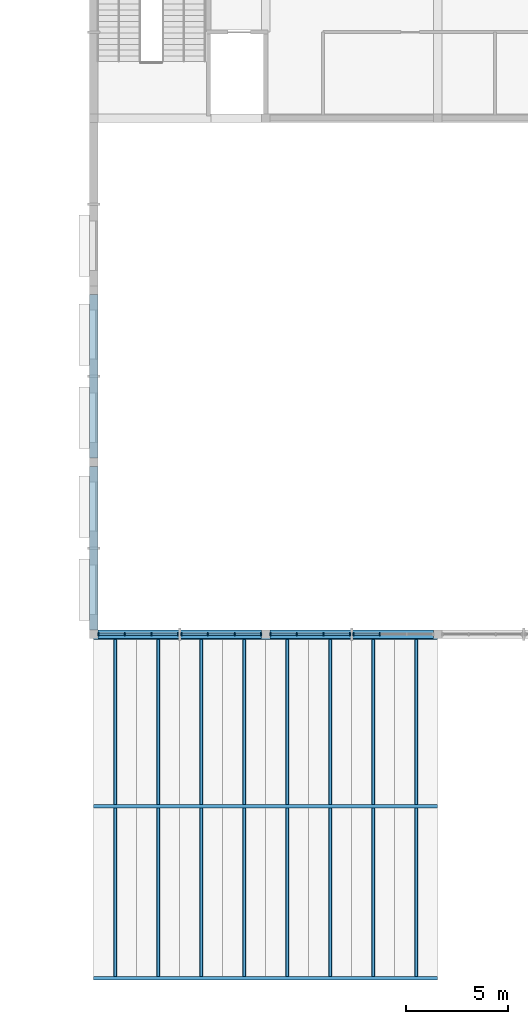
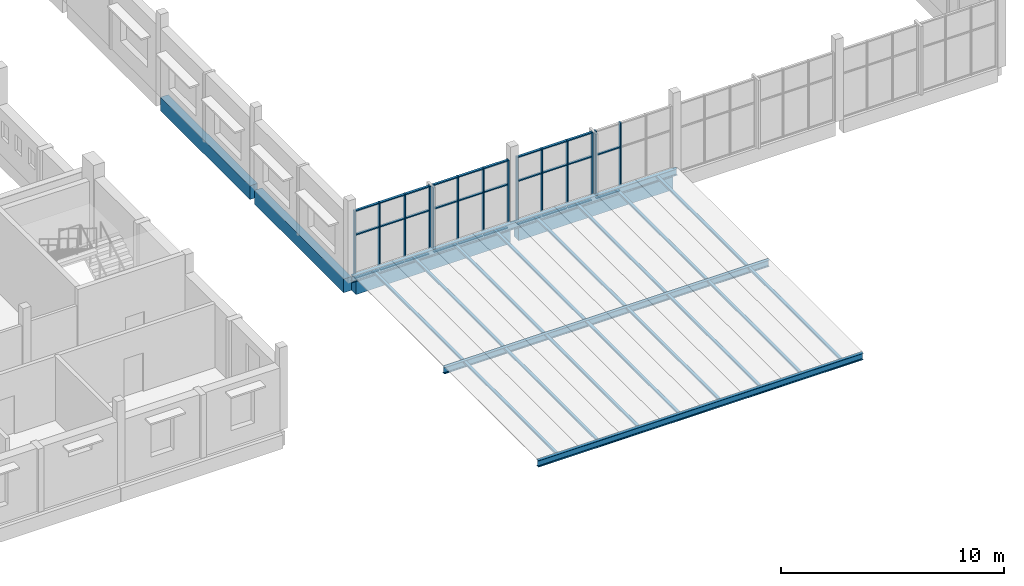
# One storey, part 19 of 60: 59 members, 7 beams, 4 elements without a shape of their own.
"""IFC4 building model written with IfcOpenShell, lengths in metres."""

from ifc_helpers import new_model, si_unit, direction, frame, origin, origin_2d, place, context, subcontext, project, spatial, rectangle, hollow_rectangle, i_section, extrude, material, material_profile, profile_set, type_object, element, aggregate, save


model = new_model("IFC4")

# Units and contexts
model_context = context("Model", 3, precision=1e-05, world=origin(), true_north=direction((0.0, 1.0)))
body_context = subcontext(model_context, "Body", "Model", "MODEL_VIEW")
ifc_project = project(units=[si_unit("LENGTHUNIT", "METRE"), si_unit("AREAUNIT", "SQUARE_METRE"), si_unit("VOLUMEUNIT", "CUBIC_METRE"), si_unit("PLANEANGLEUNIT", "RADIAN"), si_unit("MASSUNIT", "GRAM", prefix="KILO")], contexts=[model_context])

# Site, building, storey
site_placement = place(None, origin())
site = spatial("IfcSite", under=ifc_project, at=site_placement, CompositionType="ELEMENT")
building_placement = place(site_placement, origin())
building = spatial("IfcBuilding", under=site, at=building_placement, Name="Fescue Hill Polytechnic", CompositionType="ELEMENT")
storey_placement = place(building_placement, frame((0.0, 0.0, 4.5)))
storey = spatial("IfcBuildingStorey", under=building, at=storey_placement, Name="L01", CompositionType="ELEMENT", Elevation=4.5)

# Beams
ifc_material_1 = material(Name="Concrete 35 MPa", Category="concrete")
ifc_material_profile_1 = material_profile(ifc_material_1, rectangle(XDim=0.39990234375, YDim=0.75, at=origin_2d()), Name="RC 400x750")
ifc_profile_set_1 = profile_set([ifc_material_profile_1], Name="Concrete 35 MPa")
beam_type_1 = type_object("IfcBeamType", Name="Beam RC 400x750", PredefinedType="BEAM", material=ifc_profile_set_1)
for number, where, z_axis, x_axis, name in (
    (1, (126.0, 16.60009765625, -0.375), (0.0, -1.0, 0.0), (1.0, 0.0, 0.0), "BM-L01-0145"),
    (2, (126.0, 25.0, -0.375), (0.0, -1.0, 0.0), (1.0, 0.0, 0.0), "BM-L01-0146"),
    (3, (126.199951171875, 8.39990234375, -0.375), (1.0, 0.0, 0.0), (0.0, 1.0, 0.0), "BM-L01-0149"),
    (4, (134.60009765625, 8.39990234375, -0.375), (1.0, 0.0, 0.0), (0.0, 1.0, 0.0), "BM-L01-0152"),
):
    element("IfcBeam", number, at=place(storey_placement, frame(where, z_axis=z_axis, x_axis=x_axis)), inside=storey, type_object=beam_type_1, Name=name, PredefinedType="BEAM", context=body_context, shape_type="SweptSolid", body=[
        extrude(rectangle(XDim=0.39990234375, YDim=0.75, at=origin_2d()), origin(), (0.0, 0.0, 1.0), 8.0),
    ])
ifc_material_2 = material(Name="Steel 350W (350 MPa)", Category="steel")
ifc_material_profile_2 = material_profile(ifc_material_2, i_section(OverallWidth=0.172119140625, OverallDepth=0.35791015625, WebThickness=0.0078125, FlangeThickness=0.01318359375, FilletRadius=0.016845703125, at=origin_2d()), Name="W360x57")
ifc_profile_set_2 = profile_set([ifc_material_profile_2], Name="Steel 350W (350 MPa)")
beam_type_2 = type_object("IfcBeamType", Name="Canopy beam W360x57", PredefinedType="BEAM", material=ifc_profile_set_2)
for number, where, z_axis, x_axis, name in (
    (5, (126.0, -8.39990234375, 0.178955078125), (1.0, 0.0, 0.0), (0.0, 1.0, 0.0), "Canopy beam 1"),
    (6, (126.0, 0.0, 0.178955078125), (1.0, 0.0, 0.0), (0.0, 1.0, 0.0), "Canopy beam 2"),
    (7, (126.0, 8.23291015625, 0.178955078125), (1.0, 0.0, 0.0), (0.0, 1.0, 0.0), "Canopy beam 3"),
):
    element("IfcBeam", number, at=place(storey_placement, frame(where, z_axis=z_axis, x_axis=x_axis)), inside=storey, type_object=beam_type_2, Name=name, PredefinedType="BEAM", context=body_context, shape_type="SweptSolid", body=[
        extrude(i_section(OverallWidth=0.172119140625, OverallDepth=0.35791015625, WebThickness=0.0078125, FlangeThickness=0.01318359375, FilletRadius=0.016845703125, at=origin_2d()), origin(), (0.0, 0.0, 1.0), 16.800048828125),
    ])

# Members
ifc_material_profile_3 = material_profile(ifc_material_2, hollow_rectangle(XDim=0.1015625, YDim=0.15234375, WallThickness=0.00634765625, InnerFilletRadius=0.00634765625, OuterFilletRadius=0.0126953125, at=origin_2d()), Name="Canopy glazing bar HSS 152x102x6.4")
ifc_profile_set_3 = profile_set([ifc_material_profile_3], Name="Steel 350W (350 MPa)")
member_type_1 = type_object("IfcMemberType", Name="Canopy glazing bar HSS 152x102x6.4", PredefinedType="PURLIN", material=ifc_profile_set_3)
member_1_placement = place(storey_placement, frame((127.050048828125, -8.31396484375, 0.30712890625), z_axis=(0.0, 1.0, 0.0), x_axis=(0.0, 0.0, 1.0)))
element("IfcMember", 8, at=member_1_placement, inside=storey, type_object=member_type_1, Name="Canopy glazing bar 1.1", PredefinedType="PURLIN", context=body_context, shape_type="SweptSolid", body=[
    extrude(hollow_rectangle(XDim=0.1015625, YDim=0.15234375, WallThickness=0.00634765625, InnerFilletRadius=0.00634765625, OuterFilletRadius=0.0126953125, at=origin_2d()), origin(), (0.0, 0.0, 1.0), 8.22802734375),
])
member_2_placement = place(storey_placement, frame((127.050048828125, 0.0859375, 0.30712890625), z_axis=(0.0, 1.0, 0.0), x_axis=(0.0, 0.0, 1.0)))
element("IfcMember", 9, at=member_2_placement, inside=storey, type_object=member_type_1, Name="Canopy glazing bar 1.2", PredefinedType="PURLIN", context=body_context, shape_type="SweptSolid", body=[
    extrude(hollow_rectangle(XDim=0.1015625, YDim=0.15234375, WallThickness=0.00634765625, InnerFilletRadius=0.00634765625, OuterFilletRadius=0.0126953125, at=origin_2d()), origin(), (0.0, 0.0, 1.0), 8.06103515625),
])
member_3_placement = place(storey_placement, frame((129.14990234375, -8.31396484375, 0.30712890625), z_axis=(0.0, 1.0, 0.0), x_axis=(0.0, 0.0, 1.0)))
element("IfcMember", 10, at=member_3_placement, inside=storey, type_object=member_type_1, Name="Canopy glazing bar 2.1", PredefinedType="PURLIN", context=body_context, shape_type="SweptSolid", body=[
    extrude(hollow_rectangle(XDim=0.1015625, YDim=0.15234375, WallThickness=0.00634765625, InnerFilletRadius=0.00634765625, OuterFilletRadius=0.0126953125, at=origin_2d()), origin(), (0.0, 0.0, 1.0), 8.22802734375),
])
member_4_placement = place(storey_placement, frame((129.14990234375, 0.0859375, 0.30712890625), z_axis=(0.0, 1.0, 0.0), x_axis=(0.0, 0.0, 1.0)))
element("IfcMember", 11, at=member_4_placement, inside=storey, type_object=member_type_1, Name="Canopy glazing bar 2.2", PredefinedType="PURLIN", context=body_context, shape_type="SweptSolid", body=[
    extrude(hollow_rectangle(XDim=0.1015625, YDim=0.15234375, WallThickness=0.00634765625, InnerFilletRadius=0.00634765625, OuterFilletRadius=0.0126953125, at=origin_2d()), origin(), (0.0, 0.0, 1.0), 8.06103515625),
])
member_5_placement = place(storey_placement, frame((131.25, -8.31396484375, 0.30712890625), z_axis=(0.0, 1.0, 0.0), x_axis=(0.0, 0.0, 1.0)))
element("IfcMember", 12, at=member_5_placement, inside=storey, type_object=member_type_1, Name="Canopy glazing bar 3.1", PredefinedType="PURLIN", context=body_context, shape_type="SweptSolid", body=[
    extrude(hollow_rectangle(XDim=0.1015625, YDim=0.15234375, WallThickness=0.00634765625, InnerFilletRadius=0.00634765625, OuterFilletRadius=0.0126953125, at=origin_2d()), origin(), (0.0, 0.0, 1.0), 8.22802734375),
])
member_6_placement = place(storey_placement, frame((131.25, 0.0859375, 0.30712890625), z_axis=(0.0, 1.0, 0.0), x_axis=(0.0, 0.0, 1.0)))
element("IfcMember", 13, at=member_6_placement, inside=storey, type_object=member_type_1, Name="Canopy glazing bar 3.2", PredefinedType="PURLIN", context=body_context, shape_type="SweptSolid", body=[
    extrude(hollow_rectangle(XDim=0.1015625, YDim=0.15234375, WallThickness=0.00634765625, InnerFilletRadius=0.00634765625, OuterFilletRadius=0.0126953125, at=origin_2d()), origin(), (0.0, 0.0, 1.0), 8.06103515625),
])
member_7_placement = place(storey_placement, frame((133.35009765625, -8.31396484375, 0.30712890625), z_axis=(0.0, 1.0, 0.0), x_axis=(0.0, 0.0, 1.0)))
element("IfcMember", 14, at=member_7_placement, inside=storey, type_object=member_type_1, Name="Canopy glazing bar 4.1", PredefinedType="PURLIN", context=body_context, shape_type="SweptSolid", body=[
    extrude(hollow_rectangle(XDim=0.1015625, YDim=0.15234375, WallThickness=0.00634765625, InnerFilletRadius=0.00634765625, OuterFilletRadius=0.0126953125, at=origin_2d()), origin(), (0.0, 0.0, 1.0), 8.22802734375),
])
member_8_placement = place(storey_placement, frame((133.35009765625, 0.0859375, 0.30712890625), z_axis=(0.0, 1.0, 0.0), x_axis=(0.0, 0.0, 1.0)))
element("IfcMember", 15, at=member_8_placement, inside=storey, type_object=member_type_1, Name="Canopy glazing bar 4.2", PredefinedType="PURLIN", context=body_context, shape_type="SweptSolid", body=[
    extrude(hollow_rectangle(XDim=0.1015625, YDim=0.15234375, WallThickness=0.00634765625, InnerFilletRadius=0.00634765625, OuterFilletRadius=0.0126953125, at=origin_2d()), origin(), (0.0, 0.0, 1.0), 8.06103515625),
])
member_9_placement = place(storey_placement, frame((135.449951171875, -8.31396484375, 0.30712890625), z_axis=(0.0, 1.0, 0.0), x_axis=(0.0, 0.0, 1.0)))
element("IfcMember", 16, at=member_9_placement, inside=storey, type_object=member_type_1, Name="Canopy glazing bar 5.1", PredefinedType="PURLIN", context=body_context, shape_type="SweptSolid", body=[
    extrude(hollow_rectangle(XDim=0.1015625, YDim=0.15234375, WallThickness=0.00634765625, InnerFilletRadius=0.00634765625, OuterFilletRadius=0.0126953125, at=origin_2d()), origin(), (0.0, 0.0, 1.0), 8.22802734375),
])
member_10_placement = place(storey_placement, frame((135.449951171875, 0.0859375, 0.30712890625), z_axis=(0.0, 1.0, 0.0), x_axis=(0.0, 0.0, 1.0)))
element("IfcMember", 17, at=member_10_placement, inside=storey, type_object=member_type_1, Name="Canopy glazing bar 5.2", PredefinedType="PURLIN", context=body_context, shape_type="SweptSolid", body=[
    extrude(hollow_rectangle(XDim=0.1015625, YDim=0.15234375, WallThickness=0.00634765625, InnerFilletRadius=0.00634765625, OuterFilletRadius=0.0126953125, at=origin_2d()), origin(), (0.0, 0.0, 1.0), 8.06103515625),
])
member_11_placement = place(storey_placement, frame((137.550048828125, -8.31396484375, 0.30712890625), z_axis=(0.0, 1.0, 0.0), x_axis=(0.0, 0.0, 1.0)))
element("IfcMember", 18, at=member_11_placement, inside=storey, type_object=member_type_1, Name="Canopy glazing bar 6.1", PredefinedType="PURLIN", context=body_context, shape_type="SweptSolid", body=[
    extrude(hollow_rectangle(XDim=0.1015625, YDim=0.15234375, WallThickness=0.00634765625, InnerFilletRadius=0.00634765625, OuterFilletRadius=0.0126953125, at=origin_2d()), origin(), (0.0, 0.0, 1.0), 8.22802734375),
])
member_12_placement = place(storey_placement, frame((137.550048828125, 0.0859375, 0.30712890625), z_axis=(0.0, 1.0, 0.0), x_axis=(0.0, 0.0, 1.0)))
element("IfcMember", 19, at=member_12_placement, inside=storey, type_object=member_type_1, Name="Canopy glazing bar 6.2", PredefinedType="PURLIN", context=body_context, shape_type="SweptSolid", body=[
    extrude(hollow_rectangle(XDim=0.1015625, YDim=0.15234375, WallThickness=0.00634765625, InnerFilletRadius=0.00634765625, OuterFilletRadius=0.0126953125, at=origin_2d()), origin(), (0.0, 0.0, 1.0), 8.06103515625),
])
member_13_placement = place(storey_placement, frame((139.64990234375, -8.31396484375, 0.30712890625), z_axis=(0.0, 1.0, 0.0), x_axis=(0.0, 0.0, 1.0)))
element("IfcMember", 20, at=member_13_placement, inside=storey, type_object=member_type_1, Name="Canopy glazing bar 7.1", PredefinedType="PURLIN", context=body_context, shape_type="SweptSolid", body=[
    extrude(hollow_rectangle(XDim=0.1015625, YDim=0.15234375, WallThickness=0.00634765625, InnerFilletRadius=0.00634765625, OuterFilletRadius=0.0126953125, at=origin_2d()), origin(), (0.0, 0.0, 1.0), 8.22802734375),
])
member_14_placement = place(storey_placement, frame((139.64990234375, 0.0859375, 0.30712890625), z_axis=(0.0, 1.0, 0.0), x_axis=(0.0, 0.0, 1.0)))
element("IfcMember", 21, at=member_14_placement, inside=storey, type_object=member_type_1, Name="Canopy glazing bar 7.2", PredefinedType="PURLIN", context=body_context, shape_type="SweptSolid", body=[
    extrude(hollow_rectangle(XDim=0.1015625, YDim=0.15234375, WallThickness=0.00634765625, InnerFilletRadius=0.00634765625, OuterFilletRadius=0.0126953125, at=origin_2d()), origin(), (0.0, 0.0, 1.0), 8.06103515625),
])
member_15_placement = place(storey_placement, frame((141.75, -8.31396484375, 0.30712890625), z_axis=(0.0, 1.0, 0.0), x_axis=(0.0, 0.0, 1.0)))
element("IfcMember", 22, at=member_15_placement, inside=storey, type_object=member_type_1, Name="Canopy glazing bar 8.1", PredefinedType="PURLIN", context=body_context, shape_type="SweptSolid", body=[
    extrude(hollow_rectangle(XDim=0.1015625, YDim=0.15234375, WallThickness=0.00634765625, InnerFilletRadius=0.00634765625, OuterFilletRadius=0.0126953125, at=origin_2d()), origin(), (0.0, 0.0, 1.0), 8.22802734375),
])
member_16_placement = place(storey_placement, frame((141.75, 0.0859375, 0.30712890625), z_axis=(0.0, 1.0, 0.0), x_axis=(0.0, 0.0, 1.0)))
element("IfcMember", 23, at=member_16_placement, inside=storey, type_object=member_type_1, Name="Canopy glazing bar 8.2", PredefinedType="PURLIN", context=body_context, shape_type="SweptSolid", body=[
    extrude(hollow_rectangle(XDim=0.1015625, YDim=0.15234375, WallThickness=0.00634765625, InnerFilletRadius=0.00634765625, OuterFilletRadius=0.0126953125, at=origin_2d()), origin(), (0.0, 0.0, 1.0), 8.06103515625),
])

# Curtain wall, members
ifc_material_3 = material(Name="Glass", Category="glass")
curtain_wall_type = type_object("IfcCurtainWallType", Name="Curtain wall structural glazing", PredefinedType="NOTDEFINED", material=ifc_material_3)
curtain_wall_1_placement = place(storey_placement, origin())
curtain_wall_1 = element("IfcCurtainWall", 24, at=curtain_wall_1_placement, inside=storey, type_object=curtain_wall_type, Name="CW-L01-V3-1", PredefinedType="NOTDEFINED")
ifc_material_4 = material(Name="Powder-coated aluminium", Category="aluminium")
ifc_material_profile_4 = material_profile(ifc_material_4, rectangle(XDim=0.159912109375, YDim=0.06005859375, at=origin_2d()), Name="Mullion aluminium 60x160")
ifc_profile_set_4 = profile_set([ifc_material_profile_4], Name="Powder-coated aluminium")
member_type_2 = type_object("IfcMemberType", Name="Mullion aluminium 60x160", PredefinedType="MULLION", material=ifc_profile_set_4)
member_17_placement = place(storey_placement, frame((126.22998046875, 8.39990234375, 0.0), z_axis=(0.0, 0.0, 1.0), x_axis=(0.0, 1.0, 0.0)))
member_17 = element("IfcMember", 25, at=member_17_placement, type_object=member_type_2, Name="CW54 mullion 1", PredefinedType="MULLION", context=body_context, shape_type="SweptSolid", body=[
    extrude(rectangle(XDim=0.159912109375, YDim=0.06005859375, at=origin_2d()), origin(), (0.0, 0.0, 1.0), 3.72998046875),
])
member_18_placement = place(storey_placement, frame((127.513427734375, 8.39990234375, 0.0), z_axis=(0.0, 0.0, 1.0), x_axis=(0.0, 1.0, 0.0)))
member_18 = element("IfcMember", 26, at=member_18_placement, type_object=member_type_2, Name="CW54 mullion 2", PredefinedType="MULLION", context=body_context, shape_type="SweptSolid", body=[
    extrude(rectangle(XDim=0.159912109375, YDim=0.06005859375, at=origin_2d()), origin(), (0.0, 0.0, 1.0), 3.72998046875),
])
member_19_placement = place(storey_placement, frame((128.82666015625, 8.39990234375, 0.0), z_axis=(0.0, 0.0, 1.0), x_axis=(0.0, 1.0, 0.0)))
member_19 = element("IfcMember", 27, at=member_19_placement, type_object=member_type_2, Name="CW54 mullion 3", PredefinedType="MULLION", context=body_context, shape_type="SweptSolid", body=[
    extrude(rectangle(XDim=0.159912109375, YDim=0.06005859375, at=origin_2d()), origin(), (0.0, 0.0, 1.0), 3.72998046875),
])
member_20_placement = place(storey_placement, frame((130.110107421875, 8.39990234375, 0.0), z_axis=(0.0, 0.0, 1.0), x_axis=(0.0, 1.0, 0.0)))
member_20 = element("IfcMember", 28, at=member_20_placement, type_object=member_type_2, Name="CW54 mullion 4", PredefinedType="MULLION", context=body_context, shape_type="SweptSolid", body=[
    extrude(rectangle(XDim=0.159912109375, YDim=0.06005859375, at=origin_2d()), origin(), (0.0, 0.0, 1.0), 3.72998046875),
])

curtain_wall_2_placement = place(storey_placement, origin())
curtain_wall_2 = element("IfcCurtainWall", 29, at=curtain_wall_2_placement, inside=storey, type_object=curtain_wall_type, Name="CW-L01-V3-2", PredefinedType="NOTDEFINED")
member_21_placement = place(storey_placement, frame((130.2900390625, 8.39990234375, 0.0), z_axis=(0.0, 0.0, 1.0), x_axis=(0.0, 1.0, 0.0)))
member_21 = element("IfcMember", 30, at=member_21_placement, type_object=member_type_2, Name="CW55 mullion 1", PredefinedType="MULLION", context=body_context, shape_type="SweptSolid", body=[
    extrude(rectangle(XDim=0.159912109375, YDim=0.06005859375, at=origin_2d()), origin(), (0.0, 0.0, 1.0), 3.72998046875),
])
member_22_placement = place(storey_placement, frame((131.5732421875, 8.39990234375, 0.0), z_axis=(0.0, 0.0, 1.0), x_axis=(0.0, 1.0, 0.0)))
member_22 = element("IfcMember", 31, at=member_22_placement, type_object=member_type_2, Name="CW55 mullion 2", PredefinedType="MULLION", context=body_context, shape_type="SweptSolid", body=[
    extrude(rectangle(XDim=0.159912109375, YDim=0.06005859375, at=origin_2d()), origin(), (0.0, 0.0, 1.0), 3.72998046875),
])
member_23_placement = place(storey_placement, frame((132.88671875, 8.39990234375, 0.0), z_axis=(0.0, 0.0, 1.0), x_axis=(0.0, 1.0, 0.0)))
member_23 = element("IfcMember", 32, at=member_23_placement, type_object=member_type_2, Name="CW55 mullion 3", PredefinedType="MULLION", context=body_context, shape_type="SweptSolid", body=[
    extrude(rectangle(XDim=0.159912109375, YDim=0.06005859375, at=origin_2d()), origin(), (0.0, 0.0, 1.0), 3.72998046875),
])
member_24_placement = place(storey_placement, frame((134.169921875, 8.39990234375, 0.0), z_axis=(0.0, 0.0, 1.0), x_axis=(0.0, 1.0, 0.0)))
member_24 = element("IfcMember", 33, at=member_24_placement, type_object=member_type_2, Name="CW55 mullion 4", PredefinedType="MULLION", context=body_context, shape_type="SweptSolid", body=[
    extrude(rectangle(XDim=0.159912109375, YDim=0.06005859375, at=origin_2d()), origin(), (0.0, 0.0, 1.0), 3.72998046875),
])

curtain_wall_3_placement = place(storey_placement, origin())
curtain_wall_3 = element("IfcCurtainWall", 34, at=curtain_wall_3_placement, inside=storey, type_object=curtain_wall_type, Name="CW-L01-V3-3", PredefinedType="NOTDEFINED")
member_25_placement = place(storey_placement, frame((134.6298828125, 8.39990234375, 0.0), z_axis=(0.0, 0.0, 1.0), x_axis=(0.0, 1.0, 0.0)))
member_25 = element("IfcMember", 35, at=member_25_placement, type_object=member_type_2, Name="CW56 mullion 1", PredefinedType="MULLION", context=body_context, shape_type="SweptSolid", body=[
    extrude(rectangle(XDim=0.159912109375, YDim=0.06005859375, at=origin_2d()), origin(), (0.0, 0.0, 1.0), 3.72998046875),
])
member_26_placement = place(storey_placement, frame((135.913330078125, 8.39990234375, 0.0), z_axis=(0.0, 0.0, 1.0), x_axis=(0.0, 1.0, 0.0)))
member_26 = element("IfcMember", 36, at=member_26_placement, type_object=member_type_2, Name="CW56 mullion 2", PredefinedType="MULLION", context=body_context, shape_type="SweptSolid", body=[
    extrude(rectangle(XDim=0.159912109375, YDim=0.06005859375, at=origin_2d()), origin(), (0.0, 0.0, 1.0), 3.72998046875),
])
member_27_placement = place(storey_placement, frame((137.2265625, 8.39990234375, 0.0), z_axis=(0.0, 0.0, 1.0), x_axis=(0.0, 1.0, 0.0)))
member_27 = element("IfcMember", 37, at=member_27_placement, type_object=member_type_2, Name="CW56 mullion 3", PredefinedType="MULLION", context=body_context, shape_type="SweptSolid", body=[
    extrude(rectangle(XDim=0.159912109375, YDim=0.06005859375, at=origin_2d()), origin(), (0.0, 0.0, 1.0), 3.72998046875),
])
member_28_placement = place(storey_placement, frame((138.510009765625, 8.39990234375, 0.0), z_axis=(0.0, 0.0, 1.0), x_axis=(0.0, 1.0, 0.0)))
member_28 = element("IfcMember", 38, at=member_28_placement, type_object=member_type_2, Name="CW56 mullion 4", PredefinedType="MULLION", context=body_context, shape_type="SweptSolid", body=[
    extrude(rectangle(XDim=0.159912109375, YDim=0.06005859375, at=origin_2d()), origin(), (0.0, 0.0, 1.0), 3.72998046875),
])

curtain_wall_4_placement = place(storey_placement, origin())
curtain_wall_4 = element("IfcCurtainWall", 39, at=curtain_wall_4_placement, inside=storey, type_object=curtain_wall_type, Name="CW-L01-V3-4", PredefinedType="NOTDEFINED")
member_29_placement = place(storey_placement, frame((138.68994140625, 8.39990234375, 0.0), z_axis=(0.0, 0.0, 1.0), x_axis=(0.0, 1.0, 0.0)))
member_29 = element("IfcMember", 40, at=member_29_placement, type_object=member_type_2, Name="CW57 mullion 1", PredefinedType="MULLION", context=body_context, shape_type="SweptSolid", body=[
    extrude(rectangle(XDim=0.159912109375, YDim=0.06005859375, at=origin_2d()), origin(), (0.0, 0.0, 1.0), 3.72998046875),
])
member_30_placement = place(storey_placement, frame((139.973388671875, 8.39990234375, 0.0), z_axis=(0.0, 0.0, 1.0), x_axis=(0.0, 1.0, 0.0)))
member_30 = element("IfcMember", 41, at=member_30_placement, type_object=member_type_2, Name="CW57 mullion 2", PredefinedType="MULLION", context=body_context, shape_type="SweptSolid", body=[
    extrude(rectangle(XDim=0.159912109375, YDim=0.06005859375, at=origin_2d()), origin(), (0.0, 0.0, 1.0), 3.72998046875),
])

# Member
ifc_material_profile_5 = material_profile(ifc_material_4, rectangle(XDim=0.1201171875, YDim=0.06005859375, at=origin_2d()), Name="Transom aluminium 60x120")
ifc_profile_set_5 = profile_set([ifc_material_profile_5], Name="Powder-coated aluminium")
member_type_3 = type_object("IfcMemberType", Name="Transom aluminium 60x120", PredefinedType="USERDEFINED", material=ifc_profile_set_5)
member_31_placement = place(storey_placement, frame((126.260009765625, 8.39990234375, 0.030029296875), z_axis=(1.0, 0.0, 0.0), x_axis=(0.0, 1.0, 0.0)))
member_31 = element("IfcMember", 42, at=member_31_placement, type_object=member_type_3, Name="CW54 transom 1.1", ObjectType="TRANSOM", PredefinedType="USERDEFINED", context=body_context, shape_type="SweptSolid", body=[
    extrude(rectangle(XDim=0.1201171875, YDim=0.06005859375, at=origin_2d()), origin(), (0.0, 0.0, 1.0), 1.223388671875),
])

member_32_placement = place(storey_placement, frame((126.260009765625, 8.39990234375, 2.39990234375), z_axis=(1.0, 0.0, 0.0), x_axis=(0.0, 1.0, 0.0)))
member_32 = element("IfcMember", 43, at=member_32_placement, type_object=member_type_3, Name="CW54 transom 1.2", ObjectType="TRANSOM", PredefinedType="USERDEFINED", context=body_context, shape_type="SweptSolid", body=[
    extrude(rectangle(XDim=0.1201171875, YDim=0.06005859375, at=origin_2d()), origin(), (0.0, 0.0, 1.0), 1.223388671875),
])

member_33_placement = place(storey_placement, frame((126.260009765625, 8.39990234375, 3.699951171875), z_axis=(1.0, 0.0, 0.0), x_axis=(0.0, 1.0, 0.0)))
member_33 = element("IfcMember", 44, at=member_33_placement, type_object=member_type_3, Name="CW54 transom 1.3", ObjectType="TRANSOM", PredefinedType="USERDEFINED", context=body_context, shape_type="SweptSolid", body=[
    extrude(rectangle(XDim=0.1201171875, YDim=0.06005859375, at=origin_2d()), origin(), (0.0, 0.0, 1.0), 1.223388671875),
])

member_34_placement = place(storey_placement, frame((127.543212890625, 8.39990234375, 0.030029296875), z_axis=(1.0, 0.0, 0.0), x_axis=(0.0, 1.0, 0.0)))
member_34 = element("IfcMember", 45, at=member_34_placement, type_object=member_type_3, Name="CW54 transom 2.1", ObjectType="TRANSOM", PredefinedType="USERDEFINED", context=body_context, shape_type="SweptSolid", body=[
    extrude(rectangle(XDim=0.1201171875, YDim=0.06005859375, at=origin_2d()), origin(), (0.0, 0.0, 1.0), 1.25341796875),
])

member_35_placement = place(storey_placement, frame((127.543212890625, 8.39990234375, 2.39990234375), z_axis=(1.0, 0.0, 0.0), x_axis=(0.0, 1.0, 0.0)))
member_35 = element("IfcMember", 46, at=member_35_placement, type_object=member_type_3, Name="CW54 transom 2.2", ObjectType="TRANSOM", PredefinedType="USERDEFINED", context=body_context, shape_type="SweptSolid", body=[
    extrude(rectangle(XDim=0.1201171875, YDim=0.06005859375, at=origin_2d()), origin(), (0.0, 0.0, 1.0), 1.25341796875),
])

member_36_placement = place(storey_placement, frame((127.543212890625, 8.39990234375, 3.699951171875), z_axis=(1.0, 0.0, 0.0), x_axis=(0.0, 1.0, 0.0)))
member_36 = element("IfcMember", 47, at=member_36_placement, type_object=member_type_3, Name="CW54 transom 2.3", ObjectType="TRANSOM", PredefinedType="USERDEFINED", context=body_context, shape_type="SweptSolid", body=[
    extrude(rectangle(XDim=0.1201171875, YDim=0.06005859375, at=origin_2d()), origin(), (0.0, 0.0, 1.0), 1.25341796875),
])

member_37_placement = place(storey_placement, frame((128.856689453125, 8.39990234375, 0.030029296875), z_axis=(1.0, 0.0, 0.0), x_axis=(0.0, 1.0, 0.0)))
member_37 = element("IfcMember", 48, at=member_37_placement, type_object=member_type_3, Name="CW54 transom 3.1", ObjectType="TRANSOM", PredefinedType="USERDEFINED", context=body_context, shape_type="SweptSolid", body=[
    extrude(rectangle(XDim=0.1201171875, YDim=0.06005859375, at=origin_2d()), origin(), (0.0, 0.0, 1.0), 1.223388671875),
])

member_38_placement = place(storey_placement, frame((128.856689453125, 8.39990234375, 2.39990234375), z_axis=(1.0, 0.0, 0.0), x_axis=(0.0, 1.0, 0.0)))
member_38 = element("IfcMember", 49, at=member_38_placement, type_object=member_type_3, Name="CW54 transom 3.2", ObjectType="TRANSOM", PredefinedType="USERDEFINED", context=body_context, shape_type="SweptSolid", body=[
    extrude(rectangle(XDim=0.1201171875, YDim=0.06005859375, at=origin_2d()), origin(), (0.0, 0.0, 1.0), 1.223388671875),
])

member_39_placement = place(storey_placement, frame((128.856689453125, 8.39990234375, 3.699951171875), z_axis=(1.0, 0.0, 0.0), x_axis=(0.0, 1.0, 0.0)))
member_39 = element("IfcMember", 50, at=member_39_placement, type_object=member_type_3, Name="CW54 transom 3.3", ObjectType="TRANSOM", PredefinedType="USERDEFINED", context=body_context, shape_type="SweptSolid", body=[
    extrude(rectangle(XDim=0.1201171875, YDim=0.06005859375, at=origin_2d()), origin(), (0.0, 0.0, 1.0), 1.223388671875),
])

aggregate(curtain_wall_1, [member_17, member_18, member_19, member_20, member_31, member_32, member_33, member_34, member_35, member_36, member_37, member_38, member_39])

member_40_placement = place(storey_placement, frame((130.320068359375, 8.39990234375, 0.030029296875), z_axis=(1.0, 0.0, 0.0), x_axis=(0.0, 1.0, 0.0)))
member_40 = element("IfcMember", 51, at=member_40_placement, type_object=member_type_3, Name="CW55 transom 1.1", ObjectType="TRANSOM", PredefinedType="USERDEFINED", context=body_context, shape_type="SweptSolid", body=[
    extrude(rectangle(XDim=0.1201171875, YDim=0.06005859375, at=origin_2d()), origin(), (0.0, 0.0, 1.0), 1.22314453125),
])

member_41_placement = place(storey_placement, frame((130.320068359375, 8.39990234375, 2.39990234375), z_axis=(1.0, 0.0, 0.0), x_axis=(0.0, 1.0, 0.0)))
member_41 = element("IfcMember", 52, at=member_41_placement, type_object=member_type_3, Name="CW55 transom 1.2", ObjectType="TRANSOM", PredefinedType="USERDEFINED", context=body_context, shape_type="SweptSolid", body=[
    extrude(rectangle(XDim=0.1201171875, YDim=0.06005859375, at=origin_2d()), origin(), (0.0, 0.0, 1.0), 1.22314453125),
])

member_42_placement = place(storey_placement, frame((130.320068359375, 8.39990234375, 3.699951171875), z_axis=(1.0, 0.0, 0.0), x_axis=(0.0, 1.0, 0.0)))
member_42 = element("IfcMember", 53, at=member_42_placement, type_object=member_type_3, Name="CW55 transom 1.3", ObjectType="TRANSOM", PredefinedType="USERDEFINED", context=body_context, shape_type="SweptSolid", body=[
    extrude(rectangle(XDim=0.1201171875, YDim=0.06005859375, at=origin_2d()), origin(), (0.0, 0.0, 1.0), 1.22314453125),
])

member_43_placement = place(storey_placement, frame((131.603271484375, 8.39990234375, 0.030029296875), z_axis=(1.0, 0.0, 0.0), x_axis=(0.0, 1.0, 0.0)))
member_43 = element("IfcMember", 54, at=member_43_placement, type_object=member_type_3, Name="CW55 transom 2.1", ObjectType="TRANSOM", PredefinedType="USERDEFINED", context=body_context, shape_type="SweptSolid", body=[
    extrude(rectangle(XDim=0.1201171875, YDim=0.06005859375, at=origin_2d()), origin(), (0.0, 0.0, 1.0), 1.25341796875),
])

member_44_placement = place(storey_placement, frame((131.603271484375, 8.39990234375, 2.39990234375), z_axis=(1.0, 0.0, 0.0), x_axis=(0.0, 1.0, 0.0)))
member_44 = element("IfcMember", 55, at=member_44_placement, type_object=member_type_3, Name="CW55 transom 2.2", ObjectType="TRANSOM", PredefinedType="USERDEFINED", context=body_context, shape_type="SweptSolid", body=[
    extrude(rectangle(XDim=0.1201171875, YDim=0.06005859375, at=origin_2d()), origin(), (0.0, 0.0, 1.0), 1.25341796875),
])

member_45_placement = place(storey_placement, frame((131.603271484375, 8.39990234375, 3.699951171875), z_axis=(1.0, 0.0, 0.0), x_axis=(0.0, 1.0, 0.0)))
member_45 = element("IfcMember", 56, at=member_45_placement, type_object=member_type_3, Name="CW55 transom 2.3", ObjectType="TRANSOM", PredefinedType="USERDEFINED", context=body_context, shape_type="SweptSolid", body=[
    extrude(rectangle(XDim=0.1201171875, YDim=0.06005859375, at=origin_2d()), origin(), (0.0, 0.0, 1.0), 1.25341796875),
])

member_46_placement = place(storey_placement, frame((132.916748046875, 8.39990234375, 0.030029296875), z_axis=(1.0, 0.0, 0.0), x_axis=(0.0, 1.0, 0.0)))
member_46 = element("IfcMember", 57, at=member_46_placement, type_object=member_type_3, Name="CW55 transom 3.1", ObjectType="TRANSOM", PredefinedType="USERDEFINED", context=body_context, shape_type="SweptSolid", body=[
    extrude(rectangle(XDim=0.1201171875, YDim=0.06005859375, at=origin_2d()), origin(), (0.0, 0.0, 1.0), 1.22314453125),
])

member_47_placement = place(storey_placement, frame((132.916748046875, 8.39990234375, 2.39990234375), z_axis=(1.0, 0.0, 0.0), x_axis=(0.0, 1.0, 0.0)))
member_47 = element("IfcMember", 58, at=member_47_placement, type_object=member_type_3, Name="CW55 transom 3.2", ObjectType="TRANSOM", PredefinedType="USERDEFINED", context=body_context, shape_type="SweptSolid", body=[
    extrude(rectangle(XDim=0.1201171875, YDim=0.06005859375, at=origin_2d()), origin(), (0.0, 0.0, 1.0), 1.22314453125),
])

member_48_placement = place(storey_placement, frame((132.916748046875, 8.39990234375, 3.699951171875), z_axis=(1.0, 0.0, 0.0), x_axis=(0.0, 1.0, 0.0)))
member_48 = element("IfcMember", 59, at=member_48_placement, type_object=member_type_3, Name="CW55 transom 3.3", ObjectType="TRANSOM", PredefinedType="USERDEFINED", context=body_context, shape_type="SweptSolid", body=[
    extrude(rectangle(XDim=0.1201171875, YDim=0.06005859375, at=origin_2d()), origin(), (0.0, 0.0, 1.0), 1.22314453125),
])

aggregate(curtain_wall_2, [member_21, member_22, member_23, member_24, member_40, member_41, member_42, member_43, member_44, member_45, member_46, member_47, member_48])

member_49_placement = place(storey_placement, frame((134.659912109375, 8.39990234375, 0.030029296875), z_axis=(1.0, 0.0, 0.0), x_axis=(0.0, 1.0, 0.0)))
member_49 = element("IfcMember", 60, at=member_49_placement, type_object=member_type_3, Name="CW56 transom 1.1", ObjectType="TRANSOM", PredefinedType="USERDEFINED", context=body_context, shape_type="SweptSolid", body=[
    extrude(rectangle(XDim=0.1201171875, YDim=0.06005859375, at=origin_2d()), origin(), (0.0, 0.0, 1.0), 1.223388671875),
])

member_50_placement = place(storey_placement, frame((134.659912109375, 8.39990234375, 2.39990234375), z_axis=(1.0, 0.0, 0.0), x_axis=(0.0, 1.0, 0.0)))
member_50 = element("IfcMember", 61, at=member_50_placement, type_object=member_type_3, Name="CW56 transom 1.2", ObjectType="TRANSOM", PredefinedType="USERDEFINED", context=body_context, shape_type="SweptSolid", body=[
    extrude(rectangle(XDim=0.1201171875, YDim=0.06005859375, at=origin_2d()), origin(), (0.0, 0.0, 1.0), 1.223388671875),
])

member_51_placement = place(storey_placement, frame((134.659912109375, 8.39990234375, 3.699951171875), z_axis=(1.0, 0.0, 0.0), x_axis=(0.0, 1.0, 0.0)))
member_51 = element("IfcMember", 62, at=member_51_placement, type_object=member_type_3, Name="CW56 transom 1.3", ObjectType="TRANSOM", PredefinedType="USERDEFINED", context=body_context, shape_type="SweptSolid", body=[
    extrude(rectangle(XDim=0.1201171875, YDim=0.06005859375, at=origin_2d()), origin(), (0.0, 0.0, 1.0), 1.223388671875),
])

member_52_placement = place(storey_placement, frame((135.943359375, 8.39990234375, 0.030029296875), z_axis=(1.0, 0.0, 0.0), x_axis=(0.0, 1.0, 0.0)))
member_52 = element("IfcMember", 63, at=member_52_placement, type_object=member_type_3, Name="CW56 transom 2.1", ObjectType="TRANSOM", PredefinedType="USERDEFINED", context=body_context, shape_type="SweptSolid", body=[
    extrude(rectangle(XDim=0.1201171875, YDim=0.06005859375, at=origin_2d()), origin(), (0.0, 0.0, 1.0), 1.25341796875),
])

member_53_placement = place(storey_placement, frame((135.943359375, 8.39990234375, 2.39990234375), z_axis=(1.0, 0.0, 0.0), x_axis=(0.0, 1.0, 0.0)))
member_53 = element("IfcMember", 64, at=member_53_placement, type_object=member_type_3, Name="CW56 transom 2.2", ObjectType="TRANSOM", PredefinedType="USERDEFINED", context=body_context, shape_type="SweptSolid", body=[
    extrude(rectangle(XDim=0.1201171875, YDim=0.06005859375, at=origin_2d()), origin(), (0.0, 0.0, 1.0), 1.25341796875),
])

member_54_placement = place(storey_placement, frame((135.943359375, 8.39990234375, 3.699951171875), z_axis=(1.0, 0.0, 0.0), x_axis=(0.0, 1.0, 0.0)))
member_54 = element("IfcMember", 65, at=member_54_placement, type_object=member_type_3, Name="CW56 transom 2.3", ObjectType="TRANSOM", PredefinedType="USERDEFINED", context=body_context, shape_type="SweptSolid", body=[
    extrude(rectangle(XDim=0.1201171875, YDim=0.06005859375, at=origin_2d()), origin(), (0.0, 0.0, 1.0), 1.25341796875),
])

member_55_placement = place(storey_placement, frame((137.256591796875, 8.39990234375, 0.030029296875), z_axis=(1.0, 0.0, 0.0), x_axis=(0.0, 1.0, 0.0)))
member_55 = element("IfcMember", 66, at=member_55_placement, type_object=member_type_3, Name="CW56 transom 3.1", ObjectType="TRANSOM", PredefinedType="USERDEFINED", context=body_context, shape_type="SweptSolid", body=[
    extrude(rectangle(XDim=0.1201171875, YDim=0.06005859375, at=origin_2d()), origin(), (0.0, 0.0, 1.0), 1.223388671875),
])

member_56_placement = place(storey_placement, frame((137.256591796875, 8.39990234375, 2.39990234375), z_axis=(1.0, 0.0, 0.0), x_axis=(0.0, 1.0, 0.0)))
member_56 = element("IfcMember", 67, at=member_56_placement, type_object=member_type_3, Name="CW56 transom 3.2", ObjectType="TRANSOM", PredefinedType="USERDEFINED", context=body_context, shape_type="SweptSolid", body=[
    extrude(rectangle(XDim=0.1201171875, YDim=0.06005859375, at=origin_2d()), origin(), (0.0, 0.0, 1.0), 1.223388671875),
])

member_57_placement = place(storey_placement, frame((137.256591796875, 8.39990234375, 3.699951171875), z_axis=(1.0, 0.0, 0.0), x_axis=(0.0, 1.0, 0.0)))
member_57 = element("IfcMember", 68, at=member_57_placement, type_object=member_type_3, Name="CW56 transom 3.3", ObjectType="TRANSOM", PredefinedType="USERDEFINED", context=body_context, shape_type="SweptSolid", body=[
    extrude(rectangle(XDim=0.1201171875, YDim=0.06005859375, at=origin_2d()), origin(), (0.0, 0.0, 1.0), 1.223388671875),
])

aggregate(curtain_wall_3, [member_25, member_26, member_27, member_28, member_49, member_50, member_51, member_52, member_53, member_54, member_55, member_56, member_57])

member_58_placement = place(storey_placement, frame((138.719970703125, 8.39990234375, 0.030029296875), z_axis=(1.0, 0.0, 0.0), x_axis=(0.0, 1.0, 0.0)))
member_58 = element("IfcMember", 69, at=member_58_placement, type_object=member_type_3, Name="CW57 transom 1.1", ObjectType="TRANSOM", PredefinedType="USERDEFINED", context=body_context, shape_type="SweptSolid", body=[
    extrude(rectangle(XDim=0.1201171875, YDim=0.06005859375, at=origin_2d()), origin(), (0.0, 0.0, 1.0), 1.223388671875),
])

member_59_placement = place(storey_placement, frame((138.719970703125, 8.39990234375, 2.39990234375), z_axis=(1.0, 0.0, 0.0), x_axis=(0.0, 1.0, 0.0)))
member_59 = element("IfcMember", 70, at=member_59_placement, type_object=member_type_3, Name="CW57 transom 1.2", ObjectType="TRANSOM", PredefinedType="USERDEFINED", context=body_context, shape_type="SweptSolid", body=[
    extrude(rectangle(XDim=0.1201171875, YDim=0.06005859375, at=origin_2d()), origin(), (0.0, 0.0, 1.0), 1.223388671875),
])

aggregate(curtain_wall_4, [member_29, member_30, member_58, member_59])

save(model, "model.ifc")
